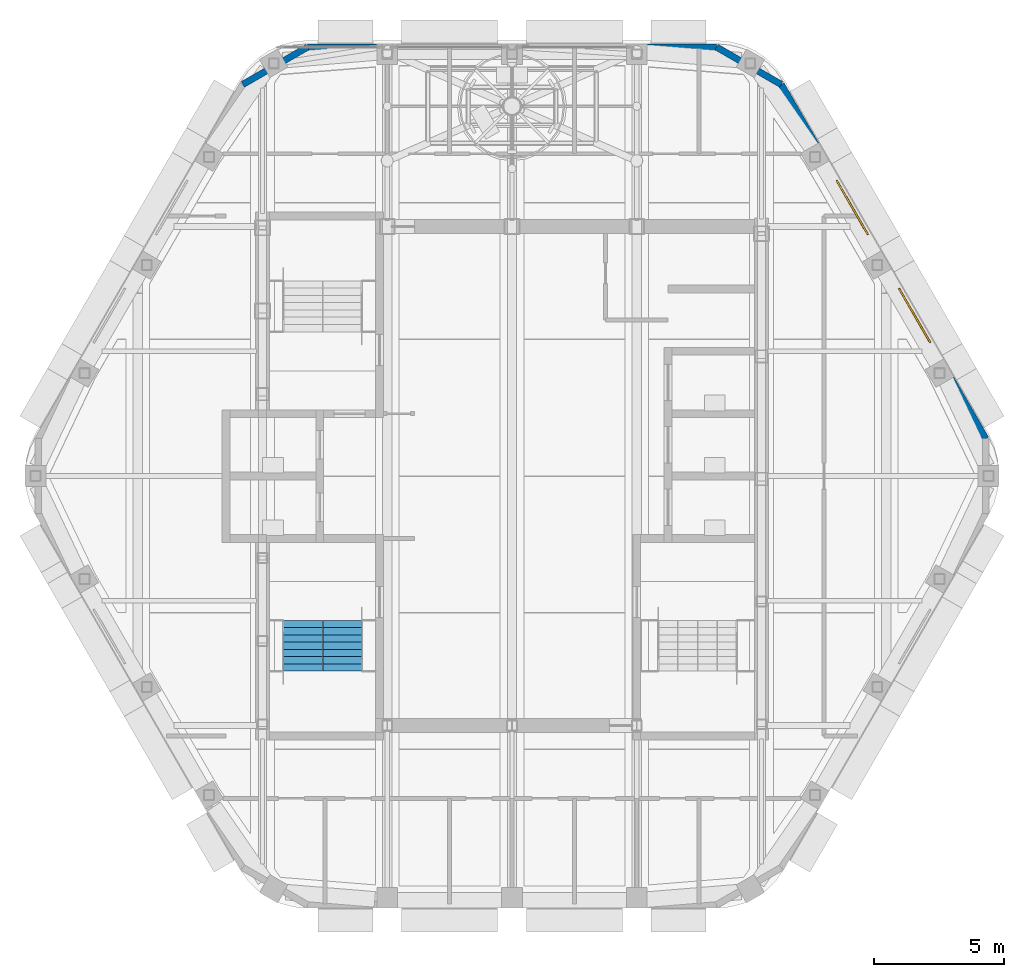
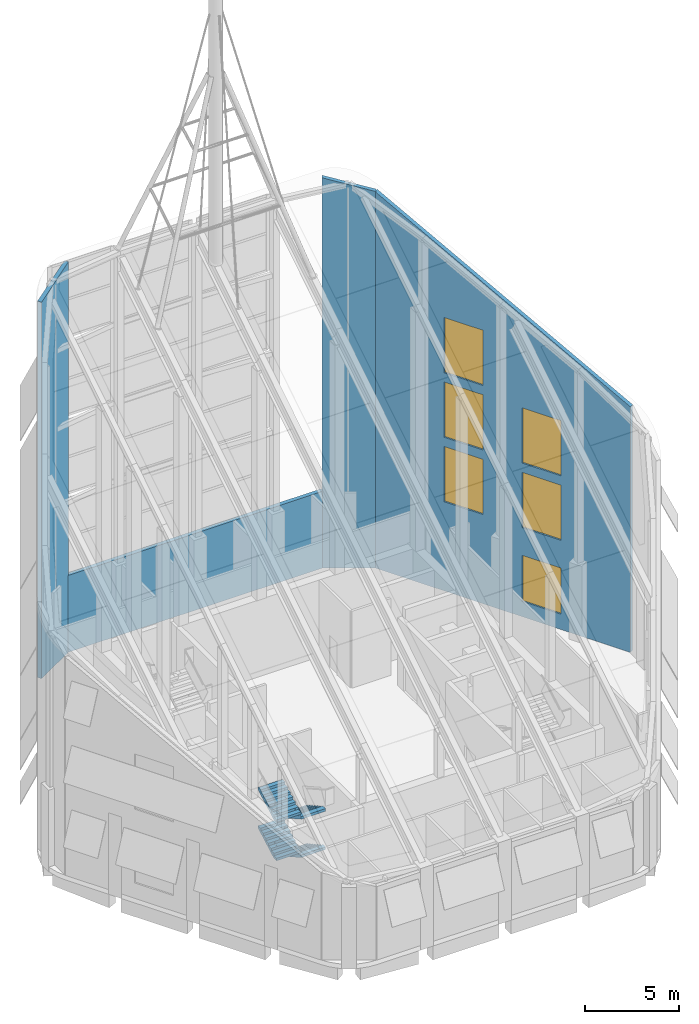
# One storey, part 12 of 25: 6 windows, 4 stair flights, 4 walls, 6 openings, 1 element without a shape of its own.
"""IFC4 building model written with IfcOpenShell, lengths in metres."""

from ifc_helpers import new_model, si_unit, direction, frame, frame_2d, origin, place, context, subcontext, project, spatial, polyline, rectangle, outline, extrude, material, layer, layer_set, type_object, element, fill, aggregate, save


model = new_model("IFC4")

# Units and contexts
model_context = context("Model", 3, precision=1e-05, world=origin(), true_north=direction((0.0, 1.0)))
body_context = subcontext(model_context, "Body", "Model", "MODEL_VIEW")
ifc_project = project(units=[si_unit("LENGTHUNIT", "METRE"), si_unit("AREAUNIT", "SQUARE_METRE"), si_unit("VOLUMEUNIT", "CUBIC_METRE"), si_unit("PLANEANGLEUNIT", "RADIAN"), si_unit("MASSUNIT", "GRAM", prefix="KILO")], contexts=[model_context])

# Site, building, storey
site_placement = place(None, origin())
site = spatial("IfcSite", under=ifc_project, at=site_placement, CompositionType="ELEMENT")
building_placement = place(site_placement, origin())
building = spatial("IfcBuilding", under=site, at=building_placement, Name="Kolab Exchange Tower", CompositionType="ELEMENT")
storey_placement = place(building_placement, frame((0.0, 0.0, 301.89990234375)))
storey = spatial("IfcBuildingStorey", under=building, at=storey_placement, Name="L68", CompositionType="ELEMENT", Elevation=301.89990234375)

# Walls
ifc_material_1 = material(Name="Aluminium EN AW-6063 T6", Category="aluminium")
ifc_layer = layer(ifc_material_1, 0.25)
ifc_layer_set = layer_set([ifc_layer], Name="Aluminium EN AW-6063 T6")
wall_type = type_object("IfcWallType", Name="CROWN CLADDING WALL 250", PredefinedType="SOLIDWALL", material=ifc_layer_set)
wall_1_placement = place(storey_placement, frame((-7.867919921875, 16.502685546875, 0.0), z_axis=(0.0, 0.0, 1.0), x_axis=(1.0, 0.0, 0.0)))
element("IfcWall", 1, at=wall_1_placement, inside=storey, type_object=wall_type, Name="Crown cladding wall", PredefinedType="SOLIDWALL", context=body_context, shape_type="SweptSolid", body=[
    extrude(rectangle(XDim=15.73583984375, YDim=0.25, at=frame_2d((7.867919921875, 0.0))), origin(), (0.0, 0.0, 1.0), 5.0),
])
wall_2_placement = place(storey_placement, frame((7.867919921875, 16.502685546875, 0.0), z_axis=(0.0, 0.0, 1.0), x_axis=(0.866018712932, -0.500011588718, 0.0)))
element("IfcWall", 2, at=wall_2_placement, inside=storey, type_object=wall_type, Name="Crown cladding wall", PredefinedType="SOLIDWALL", context=body_context, shape_type="SweptSolid", body=[
    extrude(outline(polyline([(0.0, 0.0), (2.875, 0.0), (2.875, 24.50927734375), (0.0, 25.407470703125), (0.0, 0.0)])), frame((0.0, 0.125, 0.0), z_axis=(0.0, -1.0, 0.0), x_axis=(1.0, 0.0, 0.0)), (0.0, 0.0, 1.0), 0.25),
])

# Wall, openings, windows
wall_3_placement = place(storey_placement, frame((10.357666015625, 15.065185546875, 0.0), z_axis=(0.0, 0.0, 1.0), x_axis=(0.500010301671, -0.86601945603, 0.0)))
wall_3 = element("IfcWall", 3, at=wall_3_placement, inside=storey, type_object=wall_type, Name="Crown cladding wall", PredefinedType="SOLIDWALL", context=body_context, shape_type="SweptSolid", body=[
    extrude(outline(polyline([(0.0, 0.0), (15.736083984375, 0.0), (15.73583984375, 15.99365234375), (0.0, 24.50927734375), (0.0, 0.0)])), frame((0.0, 0.125, 0.0), z_axis=(0.0, -1.0, 0.0), x_axis=(1.0, 0.0, 0.0)), (0.0, 0.0, 1.0), 0.25),
])
opening_1_placement = place(wall_3_placement, frame((4.267822265625, 0.0, 5.800048828125)))
opening_1 = element("IfcOpeningElement", 4, at=opening_1_placement, cuts=wall_3, Name="Opening W9-001", PredefinedType="OPENING", context=body_context, shape_type="SweptSolid", body=[
    extrude(rectangle(XDim=2.39990234375, YDim=3.60009765625, at=frame_2d((1.199951171875, 1.800048828125))), frame((0.0, 0.135009765625, 0.0), z_axis=(0.0, -1.0, 0.0), x_axis=(1.0, 0.0, 0.0)), (0.0, 0.0, 1.0), 0.27001953125),
])
opening_2_placement = place(wall_3_placement, frame((4.267822265625, 0.0, 10.0)))
opening_2 = element("IfcOpeningElement", 5, at=opening_2_placement, cuts=wall_3, Name="Opening W9-002", PredefinedType="OPENING", context=body_context, shape_type="SweptSolid", body=[
    extrude(rectangle(XDim=2.39990234375, YDim=3.60009765625, at=frame_2d((1.199951171875, 1.800048828125))), frame((0.0, 0.135009765625, 0.0), z_axis=(0.0, -1.0, 0.0), x_axis=(1.0, 0.0, 0.0)), (0.0, 0.0, 1.0), 0.27001953125),
])
opening_3_placement = place(wall_3_placement, frame((4.267822265625, 0.0, 14.199951171875)))
opening_3 = element("IfcOpeningElement", 6, at=opening_3_placement, cuts=wall_3, Name="Opening W9-003", PredefinedType="OPENING", context=body_context, shape_type="SweptSolid", body=[
    extrude(rectangle(XDim=2.39990234375, YDim=3.60009765625, at=frame_2d((1.199951171875, 1.800048828125))), frame((0.0, 0.135009765625, 0.0), z_axis=(0.0, -1.0, 0.0), x_axis=(1.0, 0.0, 0.0)), (0.0, 0.0, 1.0), 0.27001953125),
])
opening_4_placement = place(wall_3_placement, frame((9.06787109375, 0.0, 5.800048828125)))
opening_4 = element("IfcOpeningElement", 7, at=opening_4_placement, cuts=wall_3, Name="Opening W9-004", PredefinedType="OPENING", context=body_context, shape_type="SweptSolid", body=[
    extrude(rectangle(XDim=2.39990234375, YDim=3.60009765625, at=frame_2d((1.199951171875, 1.800048828125))), frame((0.0, 0.135009765625, 0.0), z_axis=(0.0, -1.0, 0.0), x_axis=(1.0, 0.0, 0.0)), (0.0, 0.0, 1.0), 0.27001953125),
])
opening_5_placement = place(wall_3_placement, frame((9.06787109375, 0.0, 10.0)))
opening_5 = element("IfcOpeningElement", 8, at=opening_5_placement, cuts=wall_3, Name="Opening W9-005", PredefinedType="OPENING", context=body_context, shape_type="SweptSolid", body=[
    extrude(rectangle(XDim=2.39990234375, YDim=3.60009765625, at=frame_2d((1.199951171875, 1.800048828125))), frame((0.0, 0.135009765625, 0.0), z_axis=(0.0, -1.0, 0.0), x_axis=(1.0, 0.0, 0.0)), (0.0, 0.0, 1.0), 0.27001953125),
])
opening_6_placement = place(wall_3_placement, frame((9.06787109375, 0.0, 1.0)))
opening_6 = element("IfcOpeningElement", 9, at=opening_6_placement, cuts=wall_3, Name="Opening W10-008", PredefinedType="OPENING", context=body_context, shape_type="SweptSolid", body=[
    extrude(rectangle(XDim=2.39990234375, YDim=3.0, at=frame_2d((1.199951171875, 1.5))), frame((0.0, 0.135009765625, 0.0), z_axis=(0.0, -1.0, 0.0), x_axis=(1.0, 0.0, 0.0)), (0.0, 0.0, 1.0), 0.27001953125),
])
window_type_1 = type_object("IfcWindowType", Name="CROWN WINDOW 2400 X 3000", PartitioningType="SINGLE_PANEL", PredefinedType="WINDOW", material=ifc_material_1)
window_1_placement = place(opening_6_placement, origin())
window_1 = element("IfcWindow", 10, at=window_1_placement, inside=storey, type_object=window_type_1, Name="Crown window", OverallHeight=3.0, OverallWidth=2.39990234375, PartitioningType="SINGLE_PANEL", PredefinedType="WINDOW", context=body_context, shape_type="SweptSolid", body=[
    extrude(rectangle(XDim=2.39990234375, YDim=3.0, at=frame_2d((1.199951171875, 1.5))), frame((0.0, 0.030029296875, 0.0), z_axis=(0.0, -1.0, 0.0), x_axis=(1.0, 0.0, 0.0)), (0.0, 0.0, 1.0), 0.06005859375),
])
fill(opening_6, window_1)
window_type_2 = type_object("IfcWindowType", Name="CROWN WINDOW 2400 X 3600", PartitioningType="SINGLE_PANEL", PredefinedType="WINDOW", material=ifc_material_1)
window_2_placement = place(opening_1_placement, origin())
window_2 = element("IfcWindow", 11, at=window_2_placement, inside=storey, type_object=window_type_2, Name="Crown window", OverallHeight=3.60009765625, OverallWidth=2.39990234375, PartitioningType="SINGLE_PANEL", PredefinedType="WINDOW", context=body_context, shape_type="SweptSolid", body=[
    extrude(rectangle(XDim=2.39990234375, YDim=3.60009765625, at=frame_2d((1.199951171875, 1.800048828125))), frame((0.0, 0.030029296875, 0.0), z_axis=(0.0, -1.0, 0.0), x_axis=(1.0, 0.0, 0.0)), (0.0, 0.0, 1.0), 0.06005859375),
])
fill(opening_1, window_2)
window_3_placement = place(opening_2_placement, origin())
window_3 = element("IfcWindow", 12, at=window_3_placement, inside=storey, type_object=window_type_2, Name="Crown window", OverallHeight=3.60009765625, OverallWidth=2.39990234375, PartitioningType="SINGLE_PANEL", PredefinedType="WINDOW", context=body_context, shape_type="SweptSolid", body=[
    extrude(rectangle(XDim=2.39990234375, YDim=3.60009765625, at=frame_2d((1.199951171875, 1.800048828125))), frame((0.0, 0.030029296875, 0.0), z_axis=(0.0, -1.0, 0.0), x_axis=(1.0, 0.0, 0.0)), (0.0, 0.0, 1.0), 0.06005859375),
])
fill(opening_2, window_3)
window_4_placement = place(opening_3_placement, origin())
window_4 = element("IfcWindow", 13, at=window_4_placement, inside=storey, type_object=window_type_2, Name="Crown window", OverallHeight=3.60009765625, OverallWidth=2.39990234375, PartitioningType="SINGLE_PANEL", PredefinedType="WINDOW", context=body_context, shape_type="SweptSolid", body=[
    extrude(rectangle(XDim=2.39990234375, YDim=3.60009765625, at=frame_2d((1.199951171875, 1.800048828125))), frame((0.0, 0.030029296875, 0.0), z_axis=(0.0, -1.0, 0.0), x_axis=(1.0, 0.0, 0.0)), (0.0, 0.0, 1.0), 0.06005859375),
])
fill(opening_3, window_4)
window_5_placement = place(opening_4_placement, origin())
window_5 = element("IfcWindow", 14, at=window_5_placement, inside=storey, type_object=window_type_2, Name="Crown window", OverallHeight=3.60009765625, OverallWidth=2.39990234375, PartitioningType="SINGLE_PANEL", PredefinedType="WINDOW", context=body_context, shape_type="SweptSolid", body=[
    extrude(rectangle(XDim=2.39990234375, YDim=3.60009765625, at=frame_2d((1.199951171875, 1.800048828125))), frame((0.0, 0.030029296875, 0.0), z_axis=(0.0, -1.0, 0.0), x_axis=(1.0, 0.0, 0.0)), (0.0, 0.0, 1.0), 0.06005859375),
])
fill(opening_4, window_5)
window_6_placement = place(opening_5_placement, origin())
window_6 = element("IfcWindow", 15, at=window_6_placement, inside=storey, type_object=window_type_2, Name="Crown window", OverallHeight=3.60009765625, OverallWidth=2.39990234375, PartitioningType="SINGLE_PANEL", PredefinedType="WINDOW", context=body_context, shape_type="SweptSolid", body=[
    extrude(rectangle(XDim=2.39990234375, YDim=3.60009765625, at=frame_2d((1.199951171875, 1.800048828125))), frame((0.0, 0.030029296875, 0.0), z_axis=(0.0, -1.0, 0.0), x_axis=(1.0, 0.0, 0.0)), (0.0, 0.0, 1.0), 0.06005859375),
])
fill(opening_5, window_6)

# Wall
wall_4_placement = place(storey_placement, frame((-10.357666015625, 15.065185546875, 0.0), z_axis=(0.0, 0.0, 1.0), x_axis=(0.866018712932, 0.500011588718, 0.0)))
element("IfcWall", 16, at=wall_4_placement, inside=storey, type_object=wall_type, Name="Crown cladding wall", PredefinedType="SOLIDWALL", context=body_context, shape_type="SweptSolid", body=[
    extrude(outline(polyline([(0.0, 0.0), (2.875, 0.0), (2.875, 25.407470703125), (0.0, 24.50927734375), (0.0, 0.0)])), frame((0.0, 0.125, 0.0), z_axis=(0.0, -1.0, 0.0), x_axis=(1.0, 0.0, 0.0)), (0.0, 0.0, 1.0), 0.25),
])

# Stair, stair flights
ifc_material_2 = material(Name="Concrete C50/60", Category="concrete")
stair_type = type_object("IfcStairType", Name="STAIR ST3 RISER 156.2", PredefinedType="DOUBLE_RETURN_STAIR", material=ifc_material_2)
stair_placement = place(storey_placement, origin())
stair = element("IfcStair", 17, at=stair_placement, inside=storey, type_object=stair_type, Name="Stair 3", PredefinedType="DOUBLE_RETURN_STAIR")
stair_flight_type = type_object("IfcStairFlightType", Name="STAIR FLIGHT 1500 RISER 156.2", PredefinedType="STRAIGHT", material=ifc_material_2)
stair_flight_1_placement = place(storey_placement, frame((-6.527587890625, -5.550048828125, 0.0), z_axis=(0.0, 0.0, 1.0), x_axis=(0.0, -1.0, 0.0)))
stair_flight_1 = element("IfcStairFlight", 18, at=stair_flight_1_placement, type_object=stair_flight_type, Name="ST3 flight 1", NumberOfRisers=8, NumberOfTreads=7, PredefinedType="STRAIGHT", RiserHeight=0.15625, TreadLength=0.28, context=body_context, shape_type="SweptSolid", body=[
    extrude(outline(polyline([(0.0, 0.0), (0.0, 0.15625), (0.280029296875, 0.15625), (0.280029296875, 0.3125), (0.56005859375, 0.3125), (0.56005859375, 0.46875), (0.840087890625, 0.46875), (0.840087890625, 0.625), (1.1201171875, 0.625), (1.1201171875, 0.78125), (1.39990234375, 0.78125), (1.39990234375, 0.9375), (1.679931640625, 0.9375), (1.679931640625, 1.09375), (1.9599609375, 1.09375), (1.9599609375, 1.25), (1.9599609375, 0.922119140625), (0.3076171875, 0.0), (0.0, 0.0)])), frame((0.0, 0.75, 0.0), z_axis=(0.0, -1.0, 0.0), x_axis=(1.0, 0.0, 0.0)), (0.0, 0.0, 1.0), 0.185791015625),
    extrude(outline(polyline([(0.0, 0.0), (0.0, 0.15625), (0.280029296875, 0.15625), (0.280029296875, 0.3125), (0.56005859375, 0.3125), (0.56005859375, 0.46875), (0.840087890625, 0.46875), (0.840087890625, 0.625), (1.1201171875, 0.625), (1.1201171875, 0.78125), (1.39990234375, 0.78125), (1.39990234375, 0.9375), (1.679931640625, 0.9375), (1.679931640625, 1.09375), (1.9599609375, 1.09375), (1.9599609375, 1.25), (1.9599609375, 0.922119140625), (0.3076171875, 0.0), (0.0, 0.0)])), frame((0.0, 0.562255859375, 0.0), z_axis=(0.0, -1.0, 0.0), x_axis=(1.0, 0.0, 0.0)), (0.0, 0.0, 1.0), 0.185791015625),
    extrude(outline(polyline([(0.0, 0.0), (0.0, 0.15625), (0.280029296875, 0.15625), (0.280029296875, 0.3125), (0.56005859375, 0.3125), (0.56005859375, 0.46875), (0.840087890625, 0.46875), (0.840087890625, 0.625), (1.1201171875, 0.625), (1.1201171875, 0.78125), (1.39990234375, 0.78125), (1.39990234375, 0.9375), (1.679931640625, 0.9375), (1.679931640625, 1.09375), (1.9599609375, 1.09375), (1.9599609375, 1.25), (1.9599609375, 0.922119140625), (0.3076171875, 0.0), (0.0, 0.0)])), frame((0.0, 0.37451171875, 0.0), z_axis=(0.0, -1.0, 0.0), x_axis=(1.0, 0.0, 0.0)), (0.0, 0.0, 1.0), 0.185791015625),
    extrude(outline(polyline([(0.0, 0.0), (0.0, 0.15625), (0.280029296875, 0.15625), (0.280029296875, 0.3125), (0.56005859375, 0.3125), (0.56005859375, 0.46875), (0.840087890625, 0.46875), (0.840087890625, 0.625), (1.1201171875, 0.625), (1.1201171875, 0.78125), (1.39990234375, 0.78125), (1.39990234375, 0.9375), (1.679931640625, 0.9375), (1.679931640625, 1.09375), (1.9599609375, 1.09375), (1.9599609375, 1.25), (1.9599609375, 0.922119140625), (0.3076171875, 0.0), (0.0, 0.0)])), frame((0.0, 0.186767578125, 0.0), z_axis=(0.0, -1.0, 0.0), x_axis=(1.0, 0.0, 0.0)), (0.0, 0.0, 1.0), 0.185791015625),
    extrude(outline(polyline([(0.0, 0.0), (0.0, 0.15625), (0.280029296875, 0.15625), (0.280029296875, 0.3125), (0.56005859375, 0.3125), (0.56005859375, 0.46875), (0.840087890625, 0.46875), (0.840087890625, 0.625), (1.1201171875, 0.625), (1.1201171875, 0.78125), (1.39990234375, 0.78125), (1.39990234375, 0.9375), (1.679931640625, 0.9375), (1.679931640625, 1.09375), (1.9599609375, 1.09375), (1.9599609375, 1.25), (1.9599609375, 0.922119140625), (0.3076171875, 0.0), (0.0, 0.0)])), frame((0.0, -0.0009765625, 0.0), z_axis=(0.0, -1.0, 0.0), x_axis=(1.0, 0.0, 0.0)), (0.0, 0.0, 1.0), 0.185791015625),
    extrude(outline(polyline([(0.0, 0.0), (0.0, 0.15625), (0.280029296875, 0.15625), (0.280029296875, 0.3125), (0.56005859375, 0.3125), (0.56005859375, 0.46875), (0.840087890625, 0.46875), (0.840087890625, 0.625), (1.1201171875, 0.625), (1.1201171875, 0.78125), (1.39990234375, 0.78125), (1.39990234375, 0.9375), (1.679931640625, 0.9375), (1.679931640625, 1.09375), (1.9599609375, 1.09375), (1.9599609375, 1.25), (1.9599609375, 0.922119140625), (0.3076171875, 0.0), (0.0, 0.0)])), frame((0.0, -0.188720703125, 0.0), z_axis=(0.0, -1.0, 0.0), x_axis=(1.0, 0.0, 0.0)), (0.0, 0.0, 1.0), 0.185791015625),
    extrude(outline(polyline([(0.0, 0.0), (0.0, 0.15625), (0.280029296875, 0.15625), (0.280029296875, 0.3125), (0.56005859375, 0.3125), (0.56005859375, 0.46875), (0.840087890625, 0.46875), (0.840087890625, 0.625), (1.1201171875, 0.625), (1.1201171875, 0.78125), (1.39990234375, 0.78125), (1.39990234375, 0.9375), (1.679931640625, 0.9375), (1.679931640625, 1.09375), (1.9599609375, 1.09375), (1.9599609375, 1.25), (1.9599609375, 0.922119140625), (0.3076171875, 0.0), (0.0, 0.0)])), frame((0.0, -0.37646484375, 0.0), z_axis=(0.0, -1.0, 0.0), x_axis=(1.0, 0.0, 0.0)), (0.0, 0.0, 1.0), 0.185791015625),
    extrude(outline(polyline([(0.0, 0.0), (0.0, 0.15625), (0.280029296875, 0.15625), (0.280029296875, 0.3125), (0.56005859375, 0.3125), (0.56005859375, 0.46875), (0.840087890625, 0.46875), (0.840087890625, 0.625), (1.1201171875, 0.625), (1.1201171875, 0.78125), (1.39990234375, 0.78125), (1.39990234375, 0.9375), (1.679931640625, 0.9375), (1.679931640625, 1.09375), (1.9599609375, 1.09375), (1.9599609375, 1.25), (1.9599609375, 0.922119140625), (0.3076171875, 0.0), (0.0, 0.0)])), frame((0.0, -0.564208984375, 0.0), z_axis=(0.0, -1.0, 0.0), x_axis=(1.0, 0.0, 0.0)), (0.0, 0.0, 1.0), 0.185791015625),
])
stair_flight_2_placement = place(storey_placement, frame((-8.047607421875, -7.510009765625, 1.25), z_axis=(0.0, 0.0, 1.0), x_axis=(0.0, 1.0, 0.0)))
stair_flight_2 = element("IfcStairFlight", 19, at=stair_flight_2_placement, type_object=stair_flight_type, Name="ST3 flight 2", NumberOfRisers=8, NumberOfTreads=7, PredefinedType="STRAIGHT", RiserHeight=0.15625, TreadLength=0.28, context=body_context, shape_type="SweptSolid", body=[
    extrude(outline(polyline([(0.0, 0.0), (0.0, 0.15625), (0.280029296875, 0.15625), (0.280029296875, 0.3125), (0.56005859375, 0.3125), (0.56005859375, 0.46875), (0.840087890625, 0.46875), (0.840087890625, 0.625), (1.1201171875, 0.625), (1.1201171875, 0.78125), (1.39990234375, 0.78125), (1.39990234375, 0.9375), (1.679931640625, 0.9375), (1.679931640625, 1.09375), (1.9599609375, 1.09375), (1.9599609375, 1.25), (1.9599609375, 0.922119140625), (0.3076171875, 0.0), (0.0, 0.0)])), frame((0.0, 0.75, 0.0), z_axis=(0.0, -1.0, 0.0), x_axis=(1.0, 0.0, 0.0)), (0.0, 0.0, 1.0), 0.185791015625),
    extrude(outline(polyline([(0.0, 0.0), (0.0, 0.15625), (0.280029296875, 0.15625), (0.280029296875, 0.3125), (0.56005859375, 0.3125), (0.56005859375, 0.46875), (0.840087890625, 0.46875), (0.840087890625, 0.625), (1.1201171875, 0.625), (1.1201171875, 0.78125), (1.39990234375, 0.78125), (1.39990234375, 0.9375), (1.679931640625, 0.9375), (1.679931640625, 1.09375), (1.9599609375, 1.09375), (1.9599609375, 1.25), (1.9599609375, 0.922119140625), (0.3076171875, 0.0), (0.0, 0.0)])), frame((0.0, 0.562255859375, 0.0), z_axis=(0.0, -1.0, 0.0), x_axis=(1.0, 0.0, 0.0)), (0.0, 0.0, 1.0), 0.185791015625),
    extrude(outline(polyline([(0.0, 0.0), (0.0, 0.15625), (0.280029296875, 0.15625), (0.280029296875, 0.3125), (0.56005859375, 0.3125), (0.56005859375, 0.46875), (0.840087890625, 0.46875), (0.840087890625, 0.625), (1.1201171875, 0.625), (1.1201171875, 0.78125), (1.39990234375, 0.78125), (1.39990234375, 0.9375), (1.679931640625, 0.9375), (1.679931640625, 1.09375), (1.9599609375, 1.09375), (1.9599609375, 1.25), (1.9599609375, 0.922119140625), (0.3076171875, 0.0), (0.0, 0.0)])), frame((0.0, 0.37451171875, 0.0), z_axis=(0.0, -1.0, 0.0), x_axis=(1.0, 0.0, 0.0)), (0.0, 0.0, 1.0), 0.185791015625),
    extrude(outline(polyline([(0.0, 0.0), (0.0, 0.15625), (0.280029296875, 0.15625), (0.280029296875, 0.3125), (0.56005859375, 0.3125), (0.56005859375, 0.46875), (0.840087890625, 0.46875), (0.840087890625, 0.625), (1.1201171875, 0.625), (1.1201171875, 0.78125), (1.39990234375, 0.78125), (1.39990234375, 0.9375), (1.679931640625, 0.9375), (1.679931640625, 1.09375), (1.9599609375, 1.09375), (1.9599609375, 1.25), (1.9599609375, 0.922119140625), (0.3076171875, 0.0), (0.0, 0.0)])), frame((0.0, 0.186767578125, 0.0), z_axis=(0.0, -1.0, 0.0), x_axis=(1.0, 0.0, 0.0)), (0.0, 0.0, 1.0), 0.185791015625),
    extrude(outline(polyline([(0.0, 0.0), (0.0, 0.15625), (0.280029296875, 0.15625), (0.280029296875, 0.3125), (0.56005859375, 0.3125), (0.56005859375, 0.46875), (0.840087890625, 0.46875), (0.840087890625, 0.625), (1.1201171875, 0.625), (1.1201171875, 0.78125), (1.39990234375, 0.78125), (1.39990234375, 0.9375), (1.679931640625, 0.9375), (1.679931640625, 1.09375), (1.9599609375, 1.09375), (1.9599609375, 1.25), (1.9599609375, 0.922119140625), (0.3076171875, 0.0), (0.0, 0.0)])), frame((0.0, -0.0009765625, 0.0), z_axis=(0.0, -1.0, 0.0), x_axis=(1.0, 0.0, 0.0)), (0.0, 0.0, 1.0), 0.185791015625),
    extrude(outline(polyline([(0.0, 0.0), (0.0, 0.15625), (0.280029296875, 0.15625), (0.280029296875, 0.3125), (0.56005859375, 0.3125), (0.56005859375, 0.46875), (0.840087890625, 0.46875), (0.840087890625, 0.625), (1.1201171875, 0.625), (1.1201171875, 0.78125), (1.39990234375, 0.78125), (1.39990234375, 0.9375), (1.679931640625, 0.9375), (1.679931640625, 1.09375), (1.9599609375, 1.09375), (1.9599609375, 1.25), (1.9599609375, 0.922119140625), (0.3076171875, 0.0), (0.0, 0.0)])), frame((0.0, -0.188720703125, 0.0), z_axis=(0.0, -1.0, 0.0), x_axis=(1.0, 0.0, 0.0)), (0.0, 0.0, 1.0), 0.185791015625),
    extrude(outline(polyline([(0.0, 0.0), (0.0, 0.15625), (0.280029296875, 0.15625), (0.280029296875, 0.3125), (0.56005859375, 0.3125), (0.56005859375, 0.46875), (0.840087890625, 0.46875), (0.840087890625, 0.625), (1.1201171875, 0.625), (1.1201171875, 0.78125), (1.39990234375, 0.78125), (1.39990234375, 0.9375), (1.679931640625, 0.9375), (1.679931640625, 1.09375), (1.9599609375, 1.09375), (1.9599609375, 1.25), (1.9599609375, 0.922119140625), (0.3076171875, 0.0), (0.0, 0.0)])), frame((0.0, -0.37646484375, 0.0), z_axis=(0.0, -1.0, 0.0), x_axis=(1.0, 0.0, 0.0)), (0.0, 0.0, 1.0), 0.185791015625),
    extrude(outline(polyline([(0.0, 0.0), (0.0, 0.15625), (0.280029296875, 0.15625), (0.280029296875, 0.3125), (0.56005859375, 0.3125), (0.56005859375, 0.46875), (0.840087890625, 0.46875), (0.840087890625, 0.625), (1.1201171875, 0.625), (1.1201171875, 0.78125), (1.39990234375, 0.78125), (1.39990234375, 0.9375), (1.679931640625, 0.9375), (1.679931640625, 1.09375), (1.9599609375, 1.09375), (1.9599609375, 1.25), (1.9599609375, 0.922119140625), (0.3076171875, 0.0), (0.0, 0.0)])), frame((0.0, -0.564208984375, 0.0), z_axis=(0.0, -1.0, 0.0), x_axis=(1.0, 0.0, 0.0)), (0.0, 0.0, 1.0), 0.185791015625),
])
stair_flight_3_placement = place(storey_placement, frame((-6.527587890625, -5.550048828125, 2.5), z_axis=(0.0, 0.0, 1.0), x_axis=(0.0, -1.0, 0.0)))
stair_flight_3 = element("IfcStairFlight", 20, at=stair_flight_3_placement, type_object=stair_flight_type, Name="ST3 flight 3", NumberOfRisers=8, NumberOfTreads=7, PredefinedType="STRAIGHT", RiserHeight=0.15625, TreadLength=0.28, context=body_context, shape_type="SweptSolid", body=[
    extrude(outline(polyline([(0.0, 0.0), (0.0, 0.15625), (0.280029296875, 0.15625), (0.280029296875, 0.3125), (0.56005859375, 0.3125), (0.56005859375, 0.46875), (0.840087890625, 0.46875), (0.840087890625, 0.625), (1.1201171875, 0.625), (1.1201171875, 0.78125), (1.39990234375, 0.78125), (1.39990234375, 0.9375), (1.679931640625, 0.9375), (1.679931640625, 1.09375), (1.9599609375, 1.09375), (1.9599609375, 1.25), (1.9599609375, 0.922119140625), (0.3076171875, 0.0), (0.0, 0.0)])), frame((0.0, 0.75, 0.0), z_axis=(0.0, -1.0, 0.0), x_axis=(1.0, 0.0, 0.0)), (0.0, 0.0, 1.0), 0.185791015625),
    extrude(outline(polyline([(0.0, 0.0), (0.0, 0.15625), (0.280029296875, 0.15625), (0.280029296875, 0.3125), (0.56005859375, 0.3125), (0.56005859375, 0.46875), (0.840087890625, 0.46875), (0.840087890625, 0.625), (1.1201171875, 0.625), (1.1201171875, 0.78125), (1.39990234375, 0.78125), (1.39990234375, 0.9375), (1.679931640625, 0.9375), (1.679931640625, 1.09375), (1.9599609375, 1.09375), (1.9599609375, 1.25), (1.9599609375, 0.922119140625), (0.3076171875, 0.0), (0.0, 0.0)])), frame((0.0, 0.562255859375, 0.0), z_axis=(0.0, -1.0, 0.0), x_axis=(1.0, 0.0, 0.0)), (0.0, 0.0, 1.0), 0.185791015625),
    extrude(outline(polyline([(0.0, 0.0), (0.0, 0.15625), (0.280029296875, 0.15625), (0.280029296875, 0.3125), (0.56005859375, 0.3125), (0.56005859375, 0.46875), (0.840087890625, 0.46875), (0.840087890625, 0.625), (1.1201171875, 0.625), (1.1201171875, 0.78125), (1.39990234375, 0.78125), (1.39990234375, 0.9375), (1.679931640625, 0.9375), (1.679931640625, 1.09375), (1.9599609375, 1.09375), (1.9599609375, 1.25), (1.9599609375, 0.922119140625), (0.3076171875, 0.0), (0.0, 0.0)])), frame((0.0, 0.37451171875, 0.0), z_axis=(0.0, -1.0, 0.0), x_axis=(1.0, 0.0, 0.0)), (0.0, 0.0, 1.0), 0.185791015625),
    extrude(outline(polyline([(0.0, 0.0), (0.0, 0.15625), (0.280029296875, 0.15625), (0.280029296875, 0.3125), (0.56005859375, 0.3125), (0.56005859375, 0.46875), (0.840087890625, 0.46875), (0.840087890625, 0.625), (1.1201171875, 0.625), (1.1201171875, 0.78125), (1.39990234375, 0.78125), (1.39990234375, 0.9375), (1.679931640625, 0.9375), (1.679931640625, 1.09375), (1.9599609375, 1.09375), (1.9599609375, 1.25), (1.9599609375, 0.922119140625), (0.3076171875, 0.0), (0.0, 0.0)])), frame((0.0, 0.186767578125, 0.0), z_axis=(0.0, -1.0, 0.0), x_axis=(1.0, 0.0, 0.0)), (0.0, 0.0, 1.0), 0.185791015625),
    extrude(outline(polyline([(0.0, 0.0), (0.0, 0.15625), (0.280029296875, 0.15625), (0.280029296875, 0.3125), (0.56005859375, 0.3125), (0.56005859375, 0.46875), (0.840087890625, 0.46875), (0.840087890625, 0.625), (1.1201171875, 0.625), (1.1201171875, 0.78125), (1.39990234375, 0.78125), (1.39990234375, 0.9375), (1.679931640625, 0.9375), (1.679931640625, 1.09375), (1.9599609375, 1.09375), (1.9599609375, 1.25), (1.9599609375, 0.922119140625), (0.3076171875, 0.0), (0.0, 0.0)])), frame((0.0, -0.0009765625, 0.0), z_axis=(0.0, -1.0, 0.0), x_axis=(1.0, 0.0, 0.0)), (0.0, 0.0, 1.0), 0.185791015625),
    extrude(outline(polyline([(0.0, 0.0), (0.0, 0.15625), (0.280029296875, 0.15625), (0.280029296875, 0.3125), (0.56005859375, 0.3125), (0.56005859375, 0.46875), (0.840087890625, 0.46875), (0.840087890625, 0.625), (1.1201171875, 0.625), (1.1201171875, 0.78125), (1.39990234375, 0.78125), (1.39990234375, 0.9375), (1.679931640625, 0.9375), (1.679931640625, 1.09375), (1.9599609375, 1.09375), (1.9599609375, 1.25), (1.9599609375, 0.922119140625), (0.3076171875, 0.0), (0.0, 0.0)])), frame((0.0, -0.188720703125, 0.0), z_axis=(0.0, -1.0, 0.0), x_axis=(1.0, 0.0, 0.0)), (0.0, 0.0, 1.0), 0.185791015625),
    extrude(outline(polyline([(0.0, 0.0), (0.0, 0.15625), (0.280029296875, 0.15625), (0.280029296875, 0.3125), (0.56005859375, 0.3125), (0.56005859375, 0.46875), (0.840087890625, 0.46875), (0.840087890625, 0.625), (1.1201171875, 0.625), (1.1201171875, 0.78125), (1.39990234375, 0.78125), (1.39990234375, 0.9375), (1.679931640625, 0.9375), (1.679931640625, 1.09375), (1.9599609375, 1.09375), (1.9599609375, 1.25), (1.9599609375, 0.922119140625), (0.3076171875, 0.0), (0.0, 0.0)])), frame((0.0, -0.37646484375, 0.0), z_axis=(0.0, -1.0, 0.0), x_axis=(1.0, 0.0, 0.0)), (0.0, 0.0, 1.0), 0.185791015625),
    extrude(outline(polyline([(0.0, 0.0), (0.0, 0.15625), (0.280029296875, 0.15625), (0.280029296875, 0.3125), (0.56005859375, 0.3125), (0.56005859375, 0.46875), (0.840087890625, 0.46875), (0.840087890625, 0.625), (1.1201171875, 0.625), (1.1201171875, 0.78125), (1.39990234375, 0.78125), (1.39990234375, 0.9375), (1.679931640625, 0.9375), (1.679931640625, 1.09375), (1.9599609375, 1.09375), (1.9599609375, 1.25), (1.9599609375, 0.922119140625), (0.3076171875, 0.0), (0.0, 0.0)])), frame((0.0, -0.564208984375, 0.0), z_axis=(0.0, -1.0, 0.0), x_axis=(1.0, 0.0, 0.0)), (0.0, 0.0, 1.0), 0.185791015625),
])
stair_flight_4_placement = place(storey_placement, frame((-8.047607421875, -7.510009765625, 3.75), z_axis=(0.0, 0.0, 1.0), x_axis=(0.0, 1.0, 0.0)))
stair_flight_4 = element("IfcStairFlight", 21, at=stair_flight_4_placement, type_object=stair_flight_type, Name="ST3 flight 4", NumberOfRisers=8, NumberOfTreads=7, PredefinedType="STRAIGHT", RiserHeight=0.15625, TreadLength=0.28, context=body_context, shape_type="SweptSolid", body=[
    extrude(outline(polyline([(0.0, 0.0), (0.0, 0.15625), (0.280029296875, 0.15625), (0.280029296875, 0.3125), (0.56005859375, 0.3125), (0.56005859375, 0.46875), (0.840087890625, 0.46875), (0.840087890625, 0.625), (1.1201171875, 0.625), (1.1201171875, 0.78125), (1.39990234375, 0.78125), (1.39990234375, 0.9375), (1.679931640625, 0.9375), (1.679931640625, 1.09375), (1.9599609375, 1.09375), (1.9599609375, 1.25), (1.9599609375, 0.922119140625), (0.3076171875, 0.0), (0.0, 0.0)])), frame((0.0, 0.75, 0.0), z_axis=(0.0, -1.0, 0.0), x_axis=(1.0, 0.0, 0.0)), (0.0, 0.0, 1.0), 0.185791015625),
    extrude(outline(polyline([(0.0, 0.0), (0.0, 0.15625), (0.280029296875, 0.15625), (0.280029296875, 0.3125), (0.56005859375, 0.3125), (0.56005859375, 0.46875), (0.840087890625, 0.46875), (0.840087890625, 0.625), (1.1201171875, 0.625), (1.1201171875, 0.78125), (1.39990234375, 0.78125), (1.39990234375, 0.9375), (1.679931640625, 0.9375), (1.679931640625, 1.09375), (1.9599609375, 1.09375), (1.9599609375, 1.25), (1.9599609375, 0.922119140625), (0.3076171875, 0.0), (0.0, 0.0)])), frame((0.0, 0.562255859375, 0.0), z_axis=(0.0, -1.0, 0.0), x_axis=(1.0, 0.0, 0.0)), (0.0, 0.0, 1.0), 0.185791015625),
    extrude(outline(polyline([(0.0, 0.0), (0.0, 0.15625), (0.280029296875, 0.15625), (0.280029296875, 0.3125), (0.56005859375, 0.3125), (0.56005859375, 0.46875), (0.840087890625, 0.46875), (0.840087890625, 0.625), (1.1201171875, 0.625), (1.1201171875, 0.78125), (1.39990234375, 0.78125), (1.39990234375, 0.9375), (1.679931640625, 0.9375), (1.679931640625, 1.09375), (1.9599609375, 1.09375), (1.9599609375, 1.25), (1.9599609375, 0.922119140625), (0.3076171875, 0.0), (0.0, 0.0)])), frame((0.0, 0.37451171875, 0.0), z_axis=(0.0, -1.0, 0.0), x_axis=(1.0, 0.0, 0.0)), (0.0, 0.0, 1.0), 0.185791015625),
    extrude(outline(polyline([(0.0, 0.0), (0.0, 0.15625), (0.280029296875, 0.15625), (0.280029296875, 0.3125), (0.56005859375, 0.3125), (0.56005859375, 0.46875), (0.840087890625, 0.46875), (0.840087890625, 0.625), (1.1201171875, 0.625), (1.1201171875, 0.78125), (1.39990234375, 0.78125), (1.39990234375, 0.9375), (1.679931640625, 0.9375), (1.679931640625, 1.09375), (1.9599609375, 1.09375), (1.9599609375, 1.25), (1.9599609375, 0.922119140625), (0.3076171875, 0.0), (0.0, 0.0)])), frame((0.0, 0.186767578125, 0.0), z_axis=(0.0, -1.0, 0.0), x_axis=(1.0, 0.0, 0.0)), (0.0, 0.0, 1.0), 0.185791015625),
    extrude(outline(polyline([(0.0, 0.0), (0.0, 0.15625), (0.280029296875, 0.15625), (0.280029296875, 0.3125), (0.56005859375, 0.3125), (0.56005859375, 0.46875), (0.840087890625, 0.46875), (0.840087890625, 0.625), (1.1201171875, 0.625), (1.1201171875, 0.78125), (1.39990234375, 0.78125), (1.39990234375, 0.9375), (1.679931640625, 0.9375), (1.679931640625, 1.09375), (1.9599609375, 1.09375), (1.9599609375, 1.25), (1.9599609375, 0.922119140625), (0.3076171875, 0.0), (0.0, 0.0)])), frame((0.0, -0.0009765625, 0.0), z_axis=(0.0, -1.0, 0.0), x_axis=(1.0, 0.0, 0.0)), (0.0, 0.0, 1.0), 0.185791015625),
    extrude(outline(polyline([(0.0, 0.0), (0.0, 0.15625), (0.280029296875, 0.15625), (0.280029296875, 0.3125), (0.56005859375, 0.3125), (0.56005859375, 0.46875), (0.840087890625, 0.46875), (0.840087890625, 0.625), (1.1201171875, 0.625), (1.1201171875, 0.78125), (1.39990234375, 0.78125), (1.39990234375, 0.9375), (1.679931640625, 0.9375), (1.679931640625, 1.09375), (1.9599609375, 1.09375), (1.9599609375, 1.25), (1.9599609375, 0.922119140625), (0.3076171875, 0.0), (0.0, 0.0)])), frame((0.0, -0.188720703125, 0.0), z_axis=(0.0, -1.0, 0.0), x_axis=(1.0, 0.0, 0.0)), (0.0, 0.0, 1.0), 0.185791015625),
    extrude(outline(polyline([(0.0, 0.0), (0.0, 0.15625), (0.280029296875, 0.15625), (0.280029296875, 0.3125), (0.56005859375, 0.3125), (0.56005859375, 0.46875), (0.840087890625, 0.46875), (0.840087890625, 0.625), (1.1201171875, 0.625), (1.1201171875, 0.78125), (1.39990234375, 0.78125), (1.39990234375, 0.9375), (1.679931640625, 0.9375), (1.679931640625, 1.09375), (1.9599609375, 1.09375), (1.9599609375, 1.25), (1.9599609375, 0.922119140625), (0.3076171875, 0.0), (0.0, 0.0)])), frame((0.0, -0.37646484375, 0.0), z_axis=(0.0, -1.0, 0.0), x_axis=(1.0, 0.0, 0.0)), (0.0, 0.0, 1.0), 0.185791015625),
    extrude(outline(polyline([(0.0, 0.0), (0.0, 0.15625), (0.280029296875, 0.15625), (0.280029296875, 0.3125), (0.56005859375, 0.3125), (0.56005859375, 0.46875), (0.840087890625, 0.46875), (0.840087890625, 0.625), (1.1201171875, 0.625), (1.1201171875, 0.78125), (1.39990234375, 0.78125), (1.39990234375, 0.9375), (1.679931640625, 0.9375), (1.679931640625, 1.09375), (1.9599609375, 1.09375), (1.9599609375, 1.25), (1.9599609375, 0.922119140625), (0.3076171875, 0.0), (0.0, 0.0)])), frame((0.0, -0.564208984375, 0.0), z_axis=(0.0, -1.0, 0.0), x_axis=(1.0, 0.0, 0.0)), (0.0, 0.0, 1.0), 0.185791015625),
])
aggregate(stair, [stair_flight_1, stair_flight_2, stair_flight_3, stair_flight_4])

save(model, "model.ifc")
